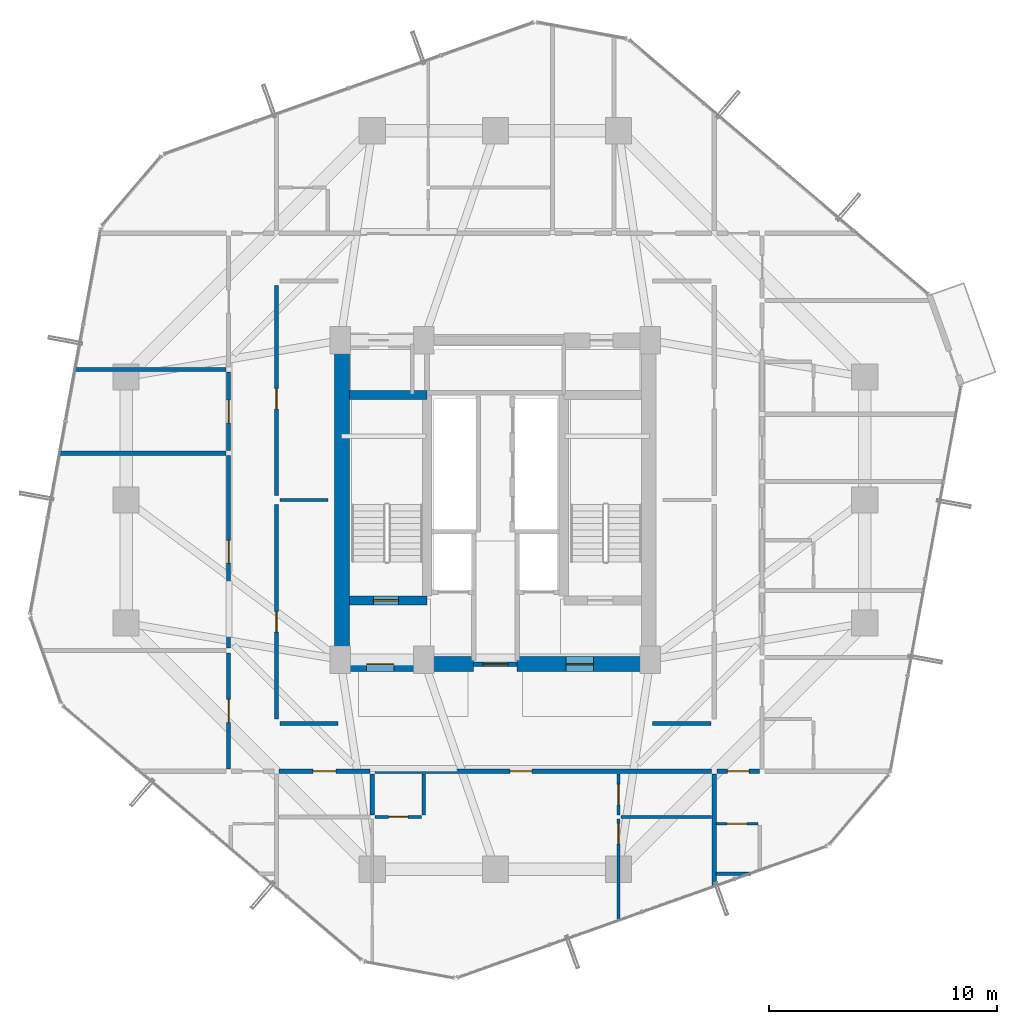
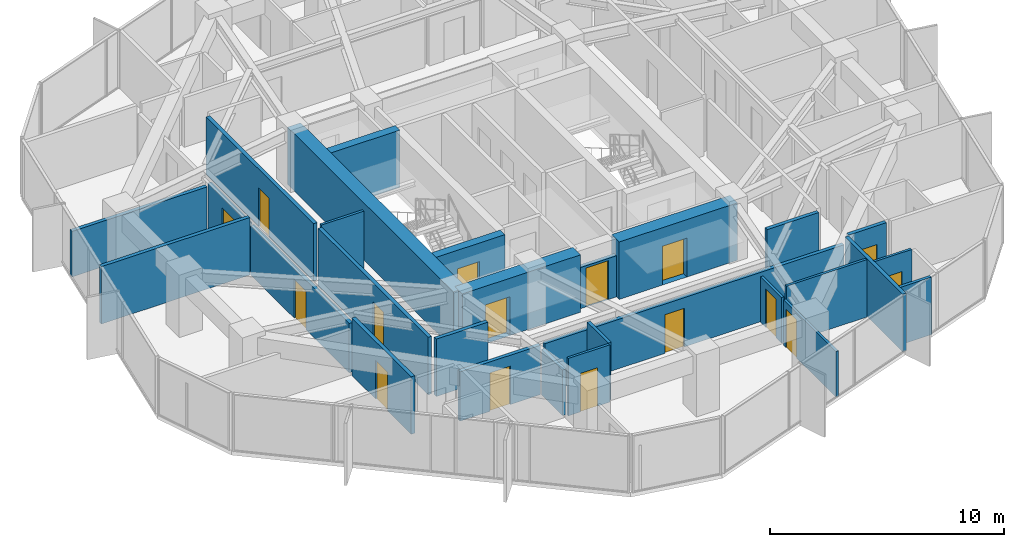
# One storey, part 28 of 33: 28 walls, 16 doors, 16 openings.
"""IFC4 building model written with IfcOpenShell, lengths in metres."""

from ifc_helpers import new_model, si_unit, direction, frame, frame_2d, origin, place, context, subcontext, project, spatial, rectangle, extrude, source, transform, mapped, material, layer, layer_set, type_object, element, fill, save


model = new_model("IFC4")

# Units and contexts
model_context = context("Model", 3, precision=1e-05, world=origin(), true_north=direction((0.0, 1.0)))
body_context = subcontext(model_context, "Body", "Model", "MODEL_VIEW")
ifc_project = project(units=[si_unit("LENGTHUNIT", "METRE"), si_unit("AREAUNIT", "SQUARE_METRE"), si_unit("VOLUMEUNIT", "CUBIC_METRE"), si_unit("PLANEANGLEUNIT", "RADIAN"), si_unit("MASSUNIT", "GRAM", prefix="KILO")], contexts=[model_context])

# Site, building, storey
site_placement = place(None, origin())
site = spatial("IfcSite", under=ifc_project, at=site_placement, CompositionType="ELEMENT")
building_placement = place(site_placement, origin())
building = spatial("IfcBuilding", under=site, at=building_placement, Name="Veraguas Prism Commons", CompositionType="ELEMENT")
storey_placement = place(building_placement, frame((0.0, 0.0, 92.699951171875)))
storey = spatial("IfcBuildingStorey", under=building, at=storey_placement, Name="L25", CompositionType="ELEMENT", Elevation=92.699951171875)

# Wall, opening, door
ifc_material_1 = material(Name="Concrete C50/60", Category="concrete")
ifc_layer_1 = layer(ifc_material_1, 0.39990234375, Name="Clinic and Mid Core Shear Wall RC 400", Category="concrete")
ifc_layer_set_1 = layer_set([ifc_layer_1], Name="Concrete C50/60")
wall_type_1 = type_object("IfcWallType", Name="Clinic and Mid Core Shear Wall RC 400", PredefinedType="SHEAR", material=ifc_layer_set_1)
wall_1_placement = place(storey_placement, frame((17.60009765625, 19.60009765625, 0.0), z_axis=(0.0, 0.0, 1.0), x_axis=(1.0, 0.0, 0.0)))
wall_1 = element("IfcWall", 1, at=wall_1_placement, inside=storey, type_object=wall_type_1, Name="Stair ST-01 South Shear Wall L25", PredefinedType="SHEAR", context=body_context, shape_type="SweptSolid", body=[
    extrude(rectangle(XDim=3.39990234375, YDim=0.39990234375, at=frame_2d((1.699951171875, 0.0))), origin(), (0.0, 0.0, 1.0), 3.0),
])
opening_1_placement = place(wall_1_placement, frame((1.050048828125, 0.0, 0.0)))
opening_1 = element("IfcOpeningElement", 2, at=opening_1_placement, cuts=wall_1, Name="Opening DR-05", PredefinedType="OPENING", context=body_context, shape_type="SweptSolid", body=[
    extrude(rectangle(XDim=1.10009765625, YDim=2.030029296875, at=frame_2d((0.550048828125, 1.01513671875))), frame((0.0, 0.2099609375, 0.0), z_axis=(0.0, -1.0, 0.0), x_axis=(1.0, 0.0, 0.0)), (0.0, 0.0, 1.0), 0.419921875),
])
ifc_material_2 = material(Name="Steel fire-rated door assembly", Category="steel")
door_type_1 = type_object("IfcDoorType", Name="Protected Stair and Refuge Fire Door 1100x2030", OperationType="NOTDEFINED", PredefinedType="DOOR", material=ifc_material_2)
shared_shape_1 = source(origin(), body_context, "Body", "SweptSolid", [
    extrude(rectangle(XDim=1.10009765625, YDim=2.030029296875, at=frame_2d((0.550048828125, 1.01513671875))), frame((0.0, 0.02490234375, 0.0), z_axis=(0.0, -1.0, 0.0), x_axis=(1.0, 0.0, 0.0)), (0.0, 0.0, 1.0), 0.050048828125),
])
door_1_placement = place(opening_1_placement, origin())
door_1 = element("IfcDoor", 3, at=door_1_placement, inside=storey, type_object=door_type_1, Name="Stair ST-01 Enclosure Door L25", OperationType="SINGLE_SWING_RIGHT", OverallHeight=2.030029296875, OverallWidth=1.10009765625, PredefinedType="DOOR", context=body_context, shape_type="MappedRepresentation", body=[
    mapped(shared_shape_1, transform((0.0, 0.0, 0.0), scale=1.0)),
])
fill(opening_1, door_1)

# Walls
wall_2_placement = place(storey_placement, frame((17.60009765625, 28.60009765625, 0.0), z_axis=(0.0, 0.0, 1.0), x_axis=(1.0, 0.0, 0.0)))
element("IfcWall", 4, at=wall_2_placement, inside=storey, type_object=wall_type_1, Name="Stair ST-01 North Shear Wall L25", PredefinedType="SHEAR", context=body_context, shape_type="SweptSolid", body=[
    extrude(rectangle(XDim=3.39990234375, YDim=0.39990234375, at=frame_2d((1.699951171875, 0.0))), origin(), (0.0, 0.0, 1.0), 3.0),
])
ifc_material_3 = material(Name="Concrete C55/67", Category="concrete")
ifc_layer_2 = layer(ifc_material_3, 0.64990234375, Name="Core Outer Shear Wall Mid RC 650", Category="concrete")
ifc_layer_set_2 = layer_set([ifc_layer_2], Name="Concrete C55/67")
wall_type_2 = type_object("IfcWallType", Name="Core Outer Shear Wall Mid RC 650", PredefinedType="SHEAR", material=ifc_layer_set_2)
wall_3_placement = place(storey_placement, frame((17.27490234375, 16.800048828125, 0.0), z_axis=(0.0, 0.0, 1.0), x_axis=(0.0, 1.0, 0.0)))
element("IfcWall", 5, at=wall_3_placement, inside=storey, type_object=wall_type_2, Name="Central Core West Shear Wall L25", PredefinedType="SHEAR", context=body_context, shape_type="SweptSolid", body=[
    extrude(rectangle(XDim=14.199951171875, YDim=0.64990234375, at=frame_2d((7.10009765625, 0.0))), origin(), (0.0, 0.0, 1.0), 3.0),
])

# Wall, opening, door
wall_4_placement = place(storey_placement, frame((17.199951171875, 16.800048828125, 0.0), z_axis=(0.0, 0.0, 1.0), x_axis=(1.0, 0.0, 0.0)))
wall_4 = element("IfcWall", 6, at=wall_4_placement, inside=storey, type_object=wall_type_2, Name="Central Core South-West Shear Wall L25", PredefinedType="SHEAR", context=body_context, shape_type="SweptSolid", body=[
    extrude(rectangle(XDim=5.85009765625, YDim=0.64990234375, at=frame_2d((2.925048828125, 0.0))), origin(), (0.0, 0.0, 1.0), 3.0),
])
opening_2_placement = place(wall_4_placement, frame((1.14990234375, 0.0, 0.0)))
opening_2 = element("IfcOpeningElement", 7, at=opening_2_placement, cuts=wall_4, Name="Opening DR-06", PredefinedType="OPENING", context=body_context, shape_type="SweptSolid", body=[
    extrude(rectangle(XDim=1.199951171875, YDim=2.030029296875, at=frame_2d((0.60009765625, 1.01513671875))), frame((0.0, 0.3349609375, 0.0), z_axis=(0.0, -1.0, 0.0), x_axis=(1.0, 0.0, 0.0)), (0.0, 0.0, 1.0), 0.669921875),
])
door_type_2 = type_object("IfcDoorType", Name="Firefighting Lobby Smoke Door 1200x2030", OperationType="NOTDEFINED", PredefinedType="DOOR", material=ifc_material_2)
shared_shape_2 = source(origin(), body_context, "Body", "SweptSolid", [
    extrude(rectangle(XDim=1.199951171875, YDim=2.030029296875, at=frame_2d((0.60009765625, 1.01513671875))), frame((0.0, 0.02490234375, 0.0), z_axis=(0.0, -1.0, 0.0), x_axis=(1.0, 0.0, 0.0)), (0.0, 0.0, 1.0), 0.050048828125),
])
door_2_placement = place(opening_2_placement, origin())
door_2 = element("IfcDoor", 8, at=door_2_placement, inside=storey, type_object=door_type_2, Name="West FF Lobby Door L25", OperationType="SINGLE_SWING_LEFT", OverallHeight=2.030029296875, OverallWidth=1.199951171875, PredefinedType="DOOR", context=body_context, shape_type="MappedRepresentation", body=[
    mapped(shared_shape_2, transform((0.0, 0.0, 0.0), scale=1.0)),
])
fill(opening_2, door_2)

wall_5_placement = place(storey_placement, frame((24.949951171875, 16.800048828125, 0.0), z_axis=(0.0, 0.0, 1.0), x_axis=(1.0, 0.0, 0.0)))
wall_5 = element("IfcWall", 9, at=wall_5_placement, inside=storey, type_object=wall_type_2, Name="Central Core South-East Shear Wall L25", PredefinedType="SHEAR", context=body_context, shape_type="SweptSolid", body=[
    extrude(rectangle(XDim=5.85009765625, YDim=0.64990234375, at=frame_2d((2.925048828125, 0.0))), origin(), (0.0, 0.0, 1.0), 3.0),
])
opening_3_placement = place(wall_5_placement, frame((2.14990234375, 0.0, 0.0)))
opening_3 = element("IfcOpeningElement", 10, at=opening_3_placement, cuts=wall_5, Name="Opening DR-06", PredefinedType="OPENING", context=body_context, shape_type="SweptSolid", body=[
    extrude(rectangle(XDim=1.199951171875, YDim=2.030029296875, at=frame_2d((0.60009765625, 1.01513671875))), frame((0.0, 0.3349609375, 0.0), z_axis=(0.0, -1.0, 0.0), x_axis=(1.0, 0.0, 0.0)), (0.0, 0.0, 1.0), 0.669921875),
])
door_3_placement = place(opening_3_placement, origin())
door_3 = element("IfcDoor", 11, at=door_3_placement, inside=storey, type_object=door_type_2, Name="East FF Lobby Door L25", OperationType="SINGLE_SWING_LEFT", OverallHeight=2.030029296875, OverallWidth=1.199951171875, PredefinedType="DOOR", context=body_context, shape_type="MappedRepresentation", body=[
    mapped(shared_shape_2, transform((0.0, 0.0, 0.0), scale=1.0)),
])
fill(opening_3, door_3)

ifc_material_4 = material(Name="Autoclaved aerated masonry block 10 MPa", Category="masonry")
ifc_layer_3 = layer(ifc_material_4, 0.179931640625, Name="Corridor and Inter-Tenancy Partition 180", Category="masonry")
ifc_layer_set_3 = layer_set([ifc_layer_3], Name="Autoclaved aerated masonry block 10 MPa")
wall_type_3 = type_object("IfcWallType", Name="Corridor and Inter-Tenancy Partition 180", PredefinedType="PARTITIONING", material=ifc_layer_set_3)
wall_6_placement = place(storey_placement, frame((14.39990234375, 14.39990234375, 0.0), z_axis=(0.0, 0.0, 1.0), x_axis=(0.0, 1.0, 0.0)))
wall_6 = element("IfcWall", 12, at=wall_6_placement, inside=storey, type_object=wall_type_3, Name="WL-L25-IRW1", PredefinedType="PARTITIONING", context=body_context, shape_type="SweptSolid", body=[
    extrude(rectangle(XDim=9.400146484375, YDim=0.179931640625, at=frame_2d((4.7001953125, 0.0))), origin(), (0.0, 0.0, 1.0), 3.0),
])
opening_4_placement = place(wall_6_placement, frame((3.800048828125, 0.0, 0.0)))
opening_4 = element("IfcOpeningElement", 13, at=opening_4_placement, cuts=wall_6, Name="Opening DR-14", PredefinedType="OPENING", context=body_context, shape_type="SweptSolid", body=[
    extrude(rectangle(XDim=0.89990234375, YDim=2.010009765625, at=frame_2d((0.449951171875, 1.0048828125))), frame((0.0, 0.099853515625, 0.0), z_axis=(0.0, -1.0, 0.0), x_axis=(1.0, 0.0, 0.0)), (0.0, 0.0, 1.0), 0.199951171875),
])
door_type_3 = type_object("IfcDoorType", Name="Core Service Room Fire Door 900x2010", OperationType="NOTDEFINED", PredefinedType="DOOR", material=ifc_material_2)
shared_shape_3 = source(origin(), body_context, "Body", "SweptSolid", [
    extrude(rectangle(XDim=0.89990234375, YDim=2.010009765625, at=frame_2d((0.449951171875, 1.0048828125))), frame((0.0, 0.02490234375, 0.0), z_axis=(0.0, -1.0, 0.0), x_axis=(1.0, 0.0, 0.0)), (0.0, 0.0, 1.0), 0.050048828125),
])
door_4_placement = place(opening_4_placement, origin())
door_4 = element("IfcDoor", 14, at=door_4_placement, inside=storey, type_object=door_type_3, Name="Residents Quiet Study Pod Door L25", OperationType="SINGLE_SWING_RIGHT", OverallHeight=2.010009765625, OverallWidth=0.89990234375, PredefinedType="DOOR", context=body_context, shape_type="MappedRepresentation", body=[
    mapped(shared_shape_3, transform((0.0, 0.0, 0.0), scale=1.0)),
])
fill(opening_4, door_4)

wall_7_placement = place(storey_placement, frame((14.39990234375, 24.199951171875, 0.0), z_axis=(0.0, 0.0, 1.0), x_axis=(0.0, 1.0, 0.0)))
wall_7 = element("IfcWall", 15, at=wall_7_placement, inside=storey, type_object=wall_type_3, Name="WL-L25-IRW2", PredefinedType="PARTITIONING", context=body_context, shape_type="SweptSolid", body=[
    extrude(rectangle(XDim=9.199951171875, YDim=0.179931640625, at=frame_2d((4.60009765625, 0.0))), origin(), (0.0, 0.0, 1.0), 3.0),
])
opening_5_placement = place(wall_7_placement, frame((3.800048828125, 0.0, 0.0)))
opening_5 = element("IfcOpeningElement", 16, at=opening_5_placement, cuts=wall_7, Name="Opening DR-14", PredefinedType="OPENING", context=body_context, shape_type="SweptSolid", body=[
    extrude(rectangle(XDim=0.89990234375, YDim=2.010009765625, at=frame_2d((0.449951171875, 1.0048828125))), frame((0.0, 0.099853515625, 0.0), z_axis=(0.0, -1.0, 0.0), x_axis=(1.0, 0.0, 0.0)), (0.0, 0.0, 1.0), 0.199951171875),
])
door_5_placement = place(opening_5_placement, origin())
door_5 = element("IfcDoor", 17, at=door_5_placement, inside=storey, type_object=door_type_3, Name="Co-op Cycle and Pram Store Door L25", OperationType="SINGLE_SWING_LEFT", OverallHeight=2.010009765625, OverallWidth=0.89990234375, PredefinedType="DOOR", context=body_context, shape_type="MappedRepresentation", body=[
    mapped(shared_shape_3, transform((0.0, 0.0, 0.0), scale=1.0)),
])
fill(opening_5, door_5)

# Walls
for number, where, z_axis, x_axis, name in (
    (18, (14.550048828125, 14.199951171875, 0.0), (0.0, 0.0, 1.0), (1.0, 0.0, 0.0), "WL-L25-IRWS"),
    (19, (30.89990234375, 14.199951171875, 0.0), (0.0, 0.0, 1.0), (1.0, 0.0, 0.0), "WL-L25-IRES"),
):
    element("IfcWall", number, at=place(storey_placement, frame(where, z_axis=z_axis, x_axis=x_axis)), inside=storey, type_object=wall_type_3, Name=name, PredefinedType="PARTITIONING", context=body_context, shape_type="SweptSolid", body=[
        extrude(rectangle(XDim=2.550048828125, YDim=0.179931640625, at=frame_2d((1.27490234375, 0.0))), origin(), (0.0, 0.0, 1.0), 3.0),
    ])
wall_8_placement = place(storey_placement, frame((33.60009765625, 11.97998046875, 0.0), z_axis=(0.0, 0.0, 1.0), x_axis=(0.0, -1.0, 0.0)))
element("IfcWall", 20, at=wall_8_placement, inside=storey, type_object=wall_type_3, Name="WL-L25-PT002", PredefinedType="PARTITIONING", context=body_context, shape_type="SweptSolid", body=[
    extrude(rectangle(XDim=4.955810546875, YDim=0.179931640625, at=frame_2d((2.47802734375, 0.0))), origin(), (0.0, 0.0, 1.0), 3.0),
])

# Wall, opening, door
wall_9_placement = place(storey_placement, frame((14.510009765625, 12.10009765625, 0.0), z_axis=(0.0, 0.0, 1.0), x_axis=(1.0, 0.0, 0.0)))
wall_9 = element("IfcWall", 21, at=wall_9_placement, inside=storey, type_object=wall_type_3, Name="WL-L25-PT003", PredefinedType="PARTITIONING", context=body_context, shape_type="SweptSolid", body=[
    extrude(rectangle(XDim=3.97998046875, YDim=0.179931640625, at=frame_2d((1.989990234375, 0.0))), origin(), (0.0, 0.0, 1.0), 2.580078125),
])
opening_6_placement = place(wall_9_placement, frame((1.489990234375, 0.0, 0.0)))
opening_6 = element("IfcOpeningElement", 22, at=opening_6_placement, cuts=wall_9, Name="Opening DR-13", PredefinedType="OPENING", context=body_context, shape_type="SweptSolid", body=[
    extrude(rectangle(XDim=1.0, YDim=2.010009765625, at=frame_2d((0.5, 1.0048828125))), frame((0.0, 0.099853515625, 0.0), z_axis=(0.0, -1.0, 0.0), x_axis=(1.0, 0.0, 0.0)), (0.0, 0.0, 1.0), 0.199951171875),
])
door_type_4 = type_object("IfcDoorType", Name="Core Accessible WC and Clinic Fire Door 1000x2010", OperationType="NOTDEFINED", PredefinedType="DOOR", material=ifc_material_2)
shared_shape_4 = source(origin(), body_context, "Body", "SweptSolid", [
    extrude(rectangle(XDim=1.0, YDim=2.010009765625, at=frame_2d((0.5, 1.0048828125))), frame((0.0, 0.02490234375, 0.0), z_axis=(0.0, -1.0, 0.0), x_axis=(1.0, 0.0, 0.0)), (0.0, 0.0, 1.0), 0.050048828125),
])
door_6_placement = place(opening_6_placement, origin())
door_6 = element("IfcDoor", 23, at=door_6_placement, inside=storey, type_object=door_type_4, Name="Residents Study Alcove 25A Door", OperationType="SINGLE_SWING_RIGHT", OverallHeight=2.010009765625, OverallWidth=1.0, PredefinedType="DOOR", context=body_context, shape_type="MappedRepresentation", body=[
    mapped(shared_shape_4, transform((0.0, 0.0, 0.0), scale=1.0)),
])
fill(opening_6, door_6)

wall_10_placement = place(storey_placement, frame((18.7099609375, 12.10009765625, 0.0), z_axis=(0.0, 0.0, 1.0), x_axis=(1.0, 0.0, 0.0)))
wall_10 = element("IfcWall", 24, at=wall_10_placement, inside=storey, type_object=wall_type_3, Name="WL-L25-PT004", PredefinedType="PARTITIONING", context=body_context, shape_type="SweptSolid", body=[
    extrude(rectangle(XDim=14.780029296875, YDim=0.179931640625, at=frame_2d((7.39013671875, 0.0))), origin(), (0.0, 0.0, 1.0), 2.580078125),
])
opening_7_placement = place(wall_10_placement, frame((5.93994140625, 0.0, 0.0)))
opening_7 = element("IfcOpeningElement", 25, at=opening_7_placement, cuts=wall_10, Name="Opening DR-01", PredefinedType="OPENING", context=body_context, shape_type="SweptSolid", body=[
    extrude(rectangle(XDim=0.949951171875, YDim=2.02001953125, at=frame_2d((0.47509765625, 1.010009765625))), frame((0.0, 0.099853515625, 0.0), z_axis=(0.0, -1.0, 0.0), x_axis=(1.0, 0.0, 0.0)), (0.0, 0.0, 1.0), 0.199951171875),
])
ifc_material_5 = material(Name="Anodised aluminium EN AW-6063 T6", Category="aluminium")
door_type_5 = type_object("IfcDoorType", Name="Apartment Entrance Fire Door 950x2020", OperationType="NOTDEFINED", PredefinedType="DOOR", material=ifc_material_5)
shared_shape_5 = source(origin(), body_context, "Body", "SweptSolid", [
    extrude(rectangle(XDim=0.949951171875, YDim=2.02001953125, at=frame_2d((0.47509765625, 1.010009765625))), frame((0.0, 0.02490234375, 0.0), z_axis=(0.0, -1.0, 0.0), x_axis=(1.0, 0.0, 0.0)), (0.0, 0.0, 1.0), 0.050048828125),
])
door_7_placement = place(opening_7_placement, origin())
door_7 = element("IfcDoor", 26, at=door_7_placement, inside=storey, type_object=door_type_5, Name="Flat 25A Entrance Door", OperationType="SINGLE_SWING_LEFT", OverallHeight=2.02001953125, OverallWidth=0.949951171875, PredefinedType="DOOR", context=body_context, shape_type="MappedRepresentation", body=[
    mapped(shared_shape_5, transform((0.0, 0.0, 0.0), scale=1.0)),
])
fill(opening_7, door_7)

# Wall
wall_11_placement = place(storey_placement, frame((18.60009765625, 11.97998046875, 0.0), z_axis=(0.0, 0.0, 1.0), x_axis=(0.0, -1.0, 0.0)))
element("IfcWall", 27, at=wall_11_placement, inside=storey, type_object=wall_type_3, Name="WL-L25-PT006", PredefinedType="PARTITIONING", context=body_context, shape_type="SweptSolid", body=[
    extrude(rectangle(XDim=1.800048828125, YDim=0.179931640625, at=frame_2d((0.89990234375, 0.0))), origin(), (0.0, 0.0, 1.0), 2.3779296875),
])

# Wall, opening, door
wall_12_placement = place(storey_placement, frame((12.300048828125, 12.2099609375, 0.0), z_axis=(0.0, 0.0, 1.0), x_axis=(0.0, 1.0, 0.0)))
wall_12 = element("IfcWall", 28, at=wall_12_placement, inside=storey, type_object=wall_type_3, Name="WL-L25-PT027", PredefinedType="PARTITIONING", context=body_context, shape_type="SweptSolid", body=[
    extrude(rectangle(XDim=5.08203125, YDim=0.179931640625, at=frame_2d((2.541015625, 0.0))), origin(), (0.0, 0.0, 1.0), 3.0),
])
opening_8_placement = place(wall_12_placement, frame((2.041015625, 0.0, 0.0)))
opening_8 = element("IfcOpeningElement", 29, at=opening_8_placement, cuts=wall_12, Name="Opening DR-13", PredefinedType="OPENING", context=body_context, shape_type="SweptSolid", body=[
    extrude(rectangle(XDim=1.0, YDim=2.010009765625, at=frame_2d((0.5, 1.0048828125))), frame((0.0, 0.099853515625, 0.0), z_axis=(0.0, -1.0, 0.0), x_axis=(1.0, 0.0, 0.0)), (0.0, 0.0, 1.0), 0.199951171875),
])
door_8_placement = place(opening_8_placement, origin())
door_8 = element("IfcDoor", 30, at=door_8_placement, inside=storey, type_object=door_type_4, Name="Residents Study Room Door", OperationType="SINGLE_SWING_RIGHT", OverallHeight=2.010009765625, OverallWidth=1.0, PredefinedType="DOOR", context=body_context, shape_type="MappedRepresentation", body=[
    mapped(shared_shape_4, transform((0.0, 0.0, 0.0), scale=1.0)),
])
fill(opening_8, door_8)

wall_13_placement = place(storey_placement, frame((12.300048828125, 17.511962890625, 0.0), z_axis=(0.0, 0.0, 1.0), x_axis=(0.0, 1.0, 0.0)))
wall_13 = element("IfcWall", 31, at=wall_13_placement, inside=storey, type_object=wall_type_3, Name="WL-L25-PT028", PredefinedType="PARTITIONING", context=body_context, shape_type="SweptSolid", body=[
    extrude(rectangle(XDim=8.429931640625, YDim=0.179931640625, at=frame_2d((4.21484375, 0.0))), origin(), (0.0, 0.0, 1.0), 2.580078125),
])
opening_9_placement = place(wall_13_placement, frame((3.715087890625, 0.0, 0.0)))
opening_9 = element("IfcOpeningElement", 32, at=opening_9_placement, cuts=wall_13, Name="Opening DR-13", PredefinedType="OPENING", context=body_context, shape_type="SweptSolid", body=[
    extrude(rectangle(XDim=1.0, YDim=2.010009765625, at=frame_2d((0.5, 1.0048828125))), frame((0.0, 0.099853515625, 0.0), z_axis=(0.0, -1.0, 0.0), x_axis=(1.0, 0.0, 0.0)), (0.0, 0.0, 1.0), 0.199951171875),
])
door_9_placement = place(opening_9_placement, origin())
door_9 = element("IfcDoor", 33, at=door_9_placement, inside=storey, type_object=door_type_4, Name="Co-op Store W Door", OperationType="SINGLE_SWING_LEFT", OverallHeight=2.010009765625, OverallWidth=1.0, PredefinedType="DOOR", context=body_context, shape_type="MappedRepresentation", body=[
    mapped(shared_shape_4, transform((0.0, 0.0, 0.0), scale=1.0)),
])
fill(opening_9, door_9)

# Wall
wall_14_placement = place(storey_placement, frame((12.179931640625, 26.052001953125, 0.0), z_axis=(0.0, 0.0, 1.0), x_axis=(-1.0, 0.0, 0.0)))
element("IfcWall", 34, at=wall_14_placement, inside=storey, type_object=wall_type_3, Name="WL-L25-PT030", PredefinedType="PARTITIONING", context=body_context, shape_type="SweptSolid", body=[
    extrude(rectangle(XDim=7.336669921875, YDim=0.179931640625, at=frame_2d((3.66845703125, 0.0))), origin(), (0.0, 0.0, 1.0), 3.0),
])

# Wall, opening, door
wall_15_placement = place(storey_placement, frame((12.300048828125, 26.162109375, 0.0), z_axis=(0.0, 0.0, 1.0), x_axis=(0.0, 1.0, 0.0)))
wall_15 = element("IfcWall", 35, at=wall_15_placement, inside=storey, type_object=wall_type_3, Name="WL-L25-PT031", PredefinedType="PARTITIONING", context=body_context, shape_type="SweptSolid", body=[
    extrude(rectangle(XDim=3.44580078125, YDim=0.179931640625, at=frame_2d((1.722900390625, 0.0))), origin(), (0.0, 0.0, 1.0), 2.580078125),
])
opening_10_placement = place(wall_15_placement, frame((1.222900390625, 0.0, 0.0)))
opening_10 = element("IfcOpeningElement", 36, at=opening_10_placement, cuts=wall_15, Name="Opening DR-13", PredefinedType="OPENING", context=body_context, shape_type="SweptSolid", body=[
    extrude(rectangle(XDim=1.0, YDim=2.010009765625, at=frame_2d((0.5, 1.0048828125))), frame((0.0, 0.099853515625, 0.0), z_axis=(0.0, -1.0, 0.0), x_axis=(1.0, 0.0, 0.0)), (0.0, 0.0, 1.0), 0.199951171875),
])
door_10_placement = place(opening_10_placement, origin())
door_10 = element("IfcDoor", 37, at=door_10_placement, inside=storey, type_object=door_type_4, Name="Shared Laundry Room Door", OperationType="SINGLE_SWING_RIGHT", OverallHeight=2.010009765625, OverallWidth=1.0, PredefinedType="DOOR", context=body_context, shape_type="MappedRepresentation", body=[
    mapped(shared_shape_4, transform((0.0, 0.0, 0.0), scale=1.0)),
])
fill(opening_10, door_10)

# Wall
wall_16_placement = place(storey_placement, frame((12.179931640625, 29.718017578125, 0.0), z_axis=(0.0, 0.0, 1.0), x_axis=(-1.0, 0.0, 0.0)))
element("IfcWall", 38, at=wall_16_placement, inside=storey, type_object=wall_type_3, Name="WL-L25-PT033", PredefinedType="PARTITIONING", context=body_context, shape_type="SweptSolid", body=[
    extrude(rectangle(XDim=6.663818359375, YDim=0.179931640625, at=frame_2d((3.33203125, 0.0))), origin(), (0.0, 0.0, 1.0), 2.3779296875),
])

# Wall, opening, door
wall_17_placement = place(storey_placement, frame((33.719970703125, 12.10009765625, 0.0), z_axis=(0.0, 0.0, 1.0), x_axis=(1.0, 0.0, 0.0)))
wall_17 = element("IfcWall", 39, at=wall_17_placement, inside=storey, type_object=wall_type_3, Name="WL-L25-PT057", PredefinedType="PARTITIONING", context=body_context, shape_type="SweptSolid", body=[
    extrude(rectangle(XDim=1.860107421875, YDim=0.179931640625, at=frame_2d((0.93017578125, 0.0))), origin(), (0.0, 0.0, 1.0), 3.0),
])
opening_11_placement = place(wall_17_placement, frame((0.455078125, 0.0, 0.0)))
opening_11 = element("IfcOpeningElement", 40, at=opening_11_placement, cuts=wall_17, Name="Opening DR-01", PredefinedType="OPENING", context=body_context, shape_type="SweptSolid", body=[
    extrude(rectangle(XDim=0.949951171875, YDim=2.02001953125, at=frame_2d((0.47509765625, 1.010009765625))), frame((0.0, 0.099853515625, 0.0), z_axis=(0.0, -1.0, 0.0), x_axis=(1.0, 0.0, 0.0)), (0.0, 0.0, 1.0), 0.199951171875),
])
door_11_placement = place(opening_11_placement, origin())
door_11 = element("IfcDoor", 41, at=door_11_placement, inside=storey, type_object=door_type_5, Name="Studio 25G Entrance Door", OperationType="SINGLE_SWING_LEFT", OverallHeight=2.02001953125, OverallWidth=0.949951171875, PredefinedType="DOOR", context=body_context, shape_type="MappedRepresentation", body=[
    mapped(shared_shape_5, transform((0.0, 0.0, 0.0), scale=1.0)),
])
fill(opening_11, door_11)

# Wall
ifc_material_6 = material(Name="Lightweight acoustic gypsum board")
ifc_layer_4 = layer(ifc_material_6, 0.125, Name="Internal Apartment Room Partition 125")
ifc_layer_set_4 = layer_set([ifc_layer_4], Name="Lightweight acoustic gypsum board")
wall_type_4 = type_object("IfcWallType", Name="Internal Apartment Room Partition 125", PredefinedType="PARTITIONING", material=ifc_layer_set_4)
wall_18_placement = place(storey_placement, frame((14.550048828125, 24.0, 0.0), z_axis=(0.0, 0.0, 1.0), x_axis=(1.0, 0.0, 0.0)))
element("IfcWall", 42, at=wall_18_placement, inside=storey, type_object=wall_type_4, Name="WL-L25-IRWM", PredefinedType="PARTITIONING", context=body_context, shape_type="SweptSolid", body=[
    extrude(rectangle(XDim=2.099853515625, YDim=0.125, at=frame_2d((1.0498046875, 0.0))), origin(), (0.0, 0.0, 1.0), 3.0),
])

# Wall, opening, door
wall_19_placement = place(storey_placement, frame((18.719970703125, 10.10009765625, 0.0), z_axis=(0.0, 0.0, 1.0), x_axis=(1.0, 0.0, 0.0)))
wall_19 = element("IfcWall", 43, at=wall_19_placement, inside=storey, type_object=wall_type_4, Name="WL-L25-PT009", PredefinedType="PARTITIONING", context=body_context, shape_type="SweptSolid", body=[
    extrude(rectangle(XDim=2.050048828125, YDim=0.125, at=frame_2d((1.02490234375, 0.0))), origin(), (0.0, 0.0, 1.0), 3.0),
])
opening_12_placement = place(wall_19_placement, frame((0.594970703125, 0.0, 0.0)))
opening_12 = element("IfcOpeningElement", 44, at=opening_12_placement, cuts=wall_19, Name="Opening DR-03", PredefinedType="OPENING", context=body_context, shape_type="SweptSolid", body=[
    extrude(rectangle(XDim=0.860107421875, YDim=2.010009765625, at=frame_2d((0.43017578125, 1.0048828125))), frame((0.0, 0.072509765625, 0.0), z_axis=(0.0, -1.0, 0.0), x_axis=(1.0, 0.0, 0.0)), (0.0, 0.0, 1.0), 0.14501953125),
])
ifc_material_7 = material(Name="Timber moisture-resistant leaf", Category="wood")
door_type_6 = type_object("IfcDoorType", Name="Internal Bathroom Door 860x2010", OperationType="NOTDEFINED", PredefinedType="DOOR", material=ifc_material_7)
shared_shape_6 = source(origin(), body_context, "Body", "SweptSolid", [
    extrude(rectangle(XDim=0.860107421875, YDim=2.010009765625, at=frame_2d((0.43017578125, 1.0048828125))), frame((0.0, 0.02490234375, 0.0), z_axis=(0.0, -1.0, 0.0), x_axis=(1.0, 0.0, 0.0)), (0.0, 0.0, 1.0), 0.050048828125),
])
door_12_placement = place(opening_12_placement, origin())
door_12 = element("IfcDoor", 45, at=door_12_placement, inside=storey, type_object=door_type_6, Name="Flat 25A Bathroom Door", OperationType="SINGLE_SWING_LEFT", OverallHeight=2.010009765625, OverallWidth=0.860107421875, PredefinedType="DOOR", context=body_context, shape_type="MappedRepresentation", body=[
    mapped(shared_shape_6, transform((0.0, 0.0, 0.0), scale=1.0)),
])
fill(opening_12, door_12)

wall_20_placement = place(storey_placement, frame((29.39990234375, 11.97998046875, 0.0), z_axis=(0.0, 0.0, 1.0), x_axis=(0.0, -1.0, 0.0)))
wall_20 = element("IfcWall", 46, at=wall_20_placement, inside=storey, type_object=wall_type_4, Name="WL-L25-PT010", PredefinedType="PARTITIONING", context=body_context, shape_type="SweptSolid", body=[
    extrude(rectangle(XDim=1.800048828125, YDim=0.125, at=frame_2d((0.89990234375, 0.0))), origin(), (0.0, 0.0, 1.0), 2.3779296875),
])
opening_13_placement = place(wall_20_placement, frame((0.449951171875, 0.0, 0.0)))
opening_13 = element("IfcOpeningElement", 47, at=opening_13_placement, cuts=wall_20, Name="Opening DR-02", PredefinedType="OPENING", context=body_context, shape_type="SweptSolid", body=[
    extrude(rectangle(XDim=0.89990234375, YDim=2.010009765625, at=frame_2d((0.449951171875, 1.0048828125))), frame((0.0, 0.072509765625, 0.0), z_axis=(0.0, -1.0, 0.0), x_axis=(1.0, 0.0, 0.0)), (0.0, 0.0, 1.0), 0.14501953125),
])
ifc_material_8 = material(Name="Timber solid core hardwood", Category="wood")
door_type_7 = type_object("IfcDoorType", Name="Internal Habitable Room Door 900x2010", OperationType="NOTDEFINED", PredefinedType="DOOR", material=ifc_material_8)
door_13_placement = place(opening_13_placement, origin())
door_13 = element("IfcDoor", 48, at=door_13_placement, inside=storey, type_object=door_type_7, Name="Flat 25A Kitchen Door", OperationType="SINGLE_SWING_RIGHT", OverallHeight=2.010009765625, OverallWidth=0.89990234375, PredefinedType="DOOR", context=body_context, shape_type="MappedRepresentation", body=[
    mapped(shared_shape_3, transform((0.0, 0.0, 0.0), scale=1.0)),
])
fill(opening_13, door_13)

# Wall
wall_21_placement = place(storey_placement, frame((29.5, 10.10009765625, 0.0), z_axis=(0.0, 0.0, 1.0), x_axis=(1.0, 0.0, 0.0)))
element("IfcWall", 49, at=wall_21_placement, inside=storey, type_object=wall_type_4, Name="WL-L25-PT011", PredefinedType="PARTITIONING", context=body_context, shape_type="SweptSolid", body=[
    extrude(rectangle(XDim=3.97998046875, YDim=0.125, at=frame_2d((1.989990234375, 0.0))), origin(), (0.0, 0.0, 1.0), 3.0),
])

# Wall, opening, door
wall_22_placement = place(storey_placement, frame((29.39990234375, 10.0, 0.0), z_axis=(0.0, 0.0, 1.0), x_axis=(0.0, -1.0, 0.0)))
wall_22 = element("IfcWall", 50, at=wall_22_placement, inside=storey, type_object=wall_type_4, Name="WL-L25-PT012", PredefinedType="PARTITIONING", context=body_context, shape_type="SweptSolid", body=[
    extrude(rectangle(XDim=4.47119140625, YDim=0.125, at=frame_2d((2.235595703125, 0.0))), origin(), (0.0, 0.0, 1.0), 2.3779296875),
])
opening_14_placement = place(wall_22_placement, frame((0.199951171875, 0.0, 0.0)))
opening_14 = element("IfcOpeningElement", 51, at=opening_14_placement, cuts=wall_22, Name="Opening DR-02", PredefinedType="OPENING", context=body_context, shape_type="SweptSolid", body=[
    extrude(rectangle(XDim=0.89990234375, YDim=2.010009765625, at=frame_2d((0.449951171875, 1.0048828125))), frame((0.0, 0.072509765625, 0.0), z_axis=(0.0, -1.0, 0.0), x_axis=(1.0, 0.0, 0.0)), (0.0, 0.0, 1.0), 0.14501953125),
])
door_14_placement = place(opening_14_placement, origin())
door_14 = element("IfcDoor", 52, at=door_14_placement, inside=storey, type_object=door_type_7, Name="Flat 25A Bedroom 1 Door", OperationType="SINGLE_SWING_LEFT", OverallHeight=2.010009765625, OverallWidth=0.89990234375, PredefinedType="DOOR", context=body_context, shape_type="MappedRepresentation", body=[
    mapped(shared_shape_3, transform((0.0, 0.0, 0.0), scale=1.0)),
])
fill(opening_14, door_14)

wall_23_placement = place(storey_placement, frame((33.679931640625, 9.800048828125, 0.0), z_axis=(0.0, 0.0, 1.0), x_axis=(1.0, 0.0, 0.0)))
wall_23 = element("IfcWall", 53, at=wall_23_placement, inside=storey, type_object=wall_type_4, Name="WL-L25-PT058", PredefinedType="PARTITIONING", context=body_context, shape_type="SweptSolid", body=[
    extrude(rectangle(XDim=1.840087890625, YDim=0.125, at=frame_2d((0.919921875, 0.0))), origin(), (0.0, 0.0, 1.0), 3.0),
])
opening_15_placement = place(wall_23_placement, frame((0.489990234375, 0.0, 0.0)))
opening_15 = element("IfcOpeningElement", 54, at=opening_15_placement, cuts=wall_23, Name="Opening DR-03", PredefinedType="OPENING", context=body_context, shape_type="SweptSolid", body=[
    extrude(rectangle(XDim=0.860107421875, YDim=2.010009765625, at=frame_2d((0.43017578125, 1.0048828125))), frame((0.0, 0.072509765625, 0.0), z_axis=(0.0, -1.0, 0.0), x_axis=(1.0, 0.0, 0.0)), (0.0, 0.0, 1.0), 0.14501953125),
])
door_15_placement = place(opening_15_placement, origin())
door_15 = element("IfcDoor", 55, at=door_15_placement, inside=storey, type_object=door_type_6, Name="Studio 25G Bathroom Door", OperationType="SINGLE_SWING_RIGHT", OverallHeight=2.010009765625, OverallWidth=0.860107421875, PredefinedType="DOOR", context=body_context, shape_type="MappedRepresentation", body=[
    mapped(shared_shape_6, transform((0.0, 0.0, 0.0), scale=1.0)),
])
fill(opening_15, door_15)

ifc_layer_5 = layer(ifc_material_4, 0.199951171875, Name="Rated Shaft and Lobby Block Wall 200", Category="masonry")
ifc_layer_set_5 = layer_set([ifc_layer_5], Name="Autoclaved aerated masonry block 10 MPa")
wall_type_5 = type_object("IfcWallType", Name="Rated Shaft and Lobby Block Wall 200", PredefinedType="SOLIDWALL", material=ifc_layer_set_5)
wall_24_placement = place(storey_placement, frame((23.050048828125, 16.800048828125, 0.0), z_axis=(0.0, 0.0, 1.0), x_axis=(1.0, 0.0, 0.0)))
wall_24 = element("IfcWall", 56, at=wall_24_placement, inside=storey, type_object=wall_type_5, Name="Central Core Lobby Entrance Wall L25", PredefinedType="SOLIDWALL", context=body_context, shape_type="SweptSolid", body=[
    extrude(rectangle(XDim=1.89990234375, YDim=0.199951171875, at=frame_2d((0.949951171875, 0.0))), origin(), (0.0, 0.0, 1.0), 2.150146484375),
])
opening_16_placement = place(wall_24_placement, frame((0.39990234375, 0.0, 0.0)))
opening_16 = element("IfcOpeningElement", 57, at=opening_16_placement, cuts=wall_24, Name="Opening DR-05", PredefinedType="OPENING", context=body_context, shape_type="SweptSolid", body=[
    extrude(rectangle(XDim=1.10009765625, YDim=2.030029296875, at=frame_2d((0.550048828125, 1.01513671875))), frame((0.0, 0.10986328125, 0.0), z_axis=(0.0, -1.0, 0.0), x_axis=(1.0, 0.0, 0.0)), (0.0, 0.0, 1.0), 0.219970703125),
])
door_16_placement = place(opening_16_placement, origin())
door_16 = element("IfcDoor", 58, at=door_16_placement, inside=storey, type_object=door_type_1, Name="Central Lobby Door L25", OperationType="SINGLE_SWING_RIGHT", OverallHeight=2.030029296875, OverallWidth=1.10009765625, PredefinedType="DOOR", context=body_context, shape_type="MappedRepresentation", body=[
    mapped(shared_shape_1, transform((0.0, 0.0, 0.0), scale=1.0)),
])
fill(opening_16, door_16)

# Walls
ifc_layer_6 = layer(ifc_material_6, 0.14990234375, Name="Wet Room and Clinic Acoustic Partition 150")
ifc_layer_set_6 = layer_set([ifc_layer_6], Name="Lightweight acoustic gypsum board")
wall_type_6 = type_object("IfcWallType", Name="Wet Room and Clinic Acoustic Partition 150", PredefinedType="PARTITIONING", material=ifc_layer_set_6)
wall_25_placement = place(storey_placement, frame((20.85009765625, 11.97998046875, 0.0), z_axis=(0.0, 0.0, 1.0), x_axis=(0.0, -1.0, 0.0)))
element("IfcWall", 59, at=wall_25_placement, inside=storey, type_object=wall_type_6, Name="WL-L25-PT008", PredefinedType="PARTITIONING", context=body_context, shape_type="SweptSolid", body=[
    extrude(rectangle(XDim=1.800048828125, YDim=0.14990234375, at=frame_2d((0.89990234375, 0.0))), origin(), (0.0, 0.0, 1.0), 3.0),
])
wall_26_placement = place(storey_placement, frame((33.679931640625, 7.60009765625, 0.0), z_axis=(0.0, 0.0, 1.0), x_axis=(1.0, 0.0, 0.0)))
element("IfcWall", 60, at=wall_26_placement, inside=storey, type_object=wall_type_6, Name="WL-L25-PT059", PredefinedType="PARTITIONING", context=body_context, shape_type="SweptSolid", body=[
    extrude(rectangle(XDim=1.536865234375, YDim=0.14990234375, at=frame_2d((0.7685546875, 0.0))), origin(), (0.0, 0.0, 1.0), 3.0),
])

save(model, "model.ifc")
